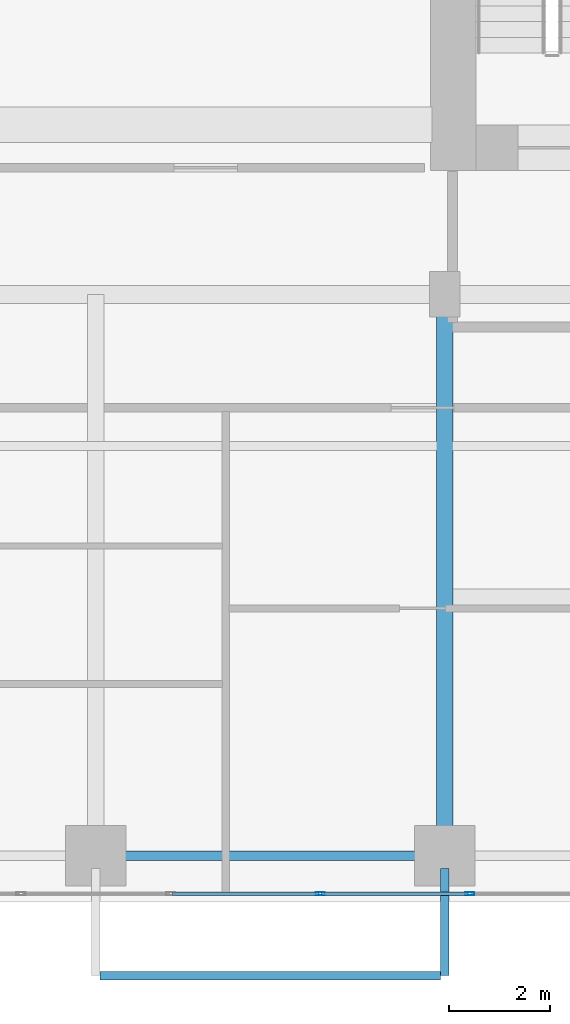
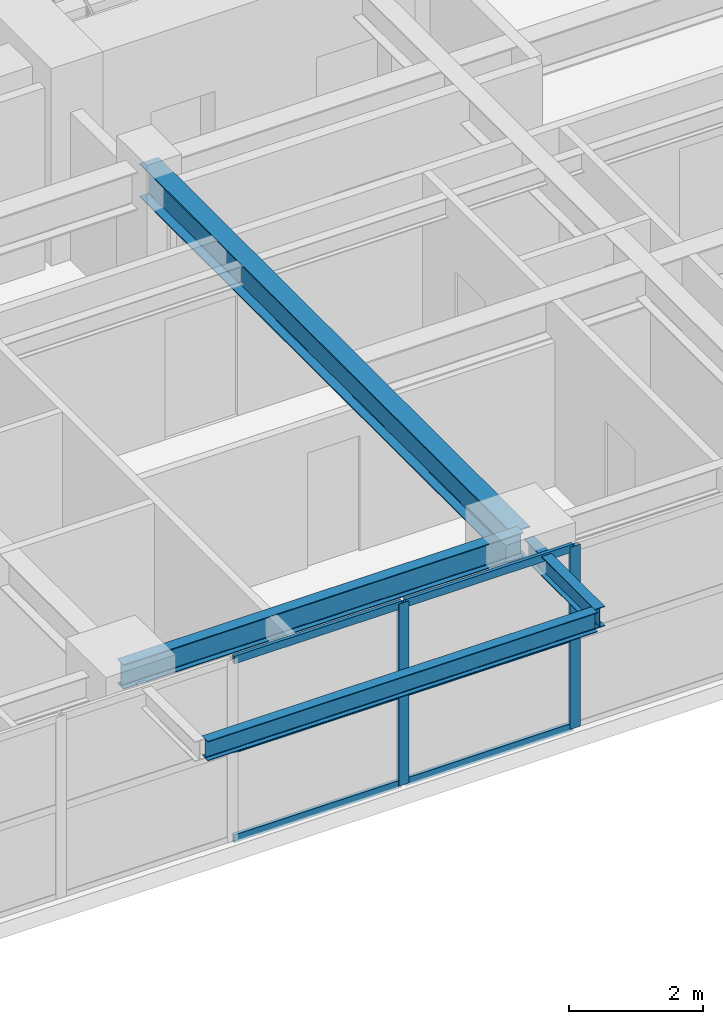
# One storey, part 3 of 24: 8 members, 4 beams, 1 element without a shape of its own.
"""IFC4 building model written with IfcOpenShell, lengths in metres."""

from ifc_helpers import new_model, si_unit, direction, frame, origin, origin_2d, place, context, subcontext, project, spatial, hollow_rectangle, i_section, extrude, source, transform, mapped, material, layer, layer_set, material_profile, profile_set, type_object, element, aggregate, save


model = new_model("IFC4")

# Units and contexts
model_context = context("Model", 3, precision=1e-05, world=origin(), true_north=direction((0.0, 1.0)))
body_context = subcontext(model_context, "Body", "Model", "MODEL_VIEW")
ifc_project = project(units=[si_unit("LENGTHUNIT", "METRE"), si_unit("AREAUNIT", "SQUARE_METRE"), si_unit("VOLUMEUNIT", "CUBIC_METRE"), si_unit("PLANEANGLEUNIT", "RADIAN"), si_unit("MASSUNIT", "GRAM", prefix="KILO")], contexts=[model_context])

# Site, building, storey
site_placement = place(None, origin())
site = spatial("IfcSite", under=ifc_project, at=site_placement, CompositionType="ELEMENT")
building_placement = place(site_placement, origin())
building = spatial("IfcBuilding", under=site, at=building_placement, Name="Khoralis Quay Care Tower", CompositionType="ELEMENT")
storey_placement = place(building_placement, frame((0.0, 0.0, 54.89990234375)))
storey = spatial("IfcBuildingStorey", under=building, at=storey_placement, Name="L14", CompositionType="ELEMENT", Elevation=54.89990234375)

# Beams
ifc_material_1 = material(Name="Steel S355", Category="steel")
ifc_material_profile_1 = material_profile(ifc_material_1, i_section(OverallWidth=0.18994140625, OverallDepth=0.449951171875, WebThickness=0.009521484375, FlangeThickness=0.0146484375, FilletRadius=0.02099609375, at=origin_2d()), Name="Steel S355")
ifc_profile_set_1 = profile_set([ifc_material_profile_1], Name="Steel S355")
beam_type_1 = type_object("IfcBeamType", Name="BM-IPE450", PredefinedType="SPANDREL", material=ifc_profile_set_1)
shared_shape_1 = source(origin(), body_context, "Body", "SweptSolid", [
    extrude(i_section(OverallWidth=0.18994140625, OverallDepth=0.449951171875, WebThickness=0.009521484375, FlangeThickness=0.0146484375, FilletRadius=0.02099609375, at=origin_2d()), origin(), (0.0, 0.0, 1.0), 6.89990234375),
])
beam_1_placement = place(storey_placement, frame((24.0, 0.89990234375, 3.09521484375), z_axis=(1.0, 0.0, 0.0), x_axis=(0.0, 1.0, 0.0)))
element("IfcBeam", 1, at=beam_1_placement, inside=storey, type_object=beam_type_1, Name="BM-TSP-L14-04", PredefinedType="SPANDREL", context=body_context, shape_type="MappedRepresentation", body=[
    mapped(shared_shape_1, transform((0.0, 0.0, 0.0), scale=1.0)),
])
ifc_material_profile_2 = material_profile(ifc_material_1, i_section(OverallWidth=0.324951171875, OverallDepth=0.615966796875, WebThickness=0.013916015625, FlangeThickness=0.021484375, FilletRadius=0.01806640625, at=origin_2d()), Name="Steel S355")
ifc_profile_set_2 = profile_set([ifc_material_profile_2], Name="Steel S355")
beam_type_2 = type_object("IfcBeamType", Name="BM-W610X174", PredefinedType="BEAM", material=ifc_profile_set_2)
shared_shape_2 = source(origin(), body_context, "Body", "SweptSolid", [
    extrude(i_section(OverallWidth=0.324951171875, OverallDepth=0.615966796875, WebThickness=0.013916015625, FlangeThickness=0.021484375, FilletRadius=0.01806640625, at=origin_2d()), origin(), (0.0, 0.0, 1.0), 11.10009765625),
])
beam_2_placement = place(storey_placement, frame((30.89990234375, 0.89990234375, 3.01220703125), z_axis=(0.0, 1.0, 0.0), x_axis=(-1.0, 0.0, 0.0)))
element("IfcBeam", 2, at=beam_2_placement, inside=storey, type_object=beam_type_2, Name="BM-TGYS-L14-309", PredefinedType="BEAM", context=body_context, shape_type="MappedRepresentation", body=[
    mapped(shared_shape_2, transform((0.0, 0.0, 0.0), scale=1.0)),
])

# Curtain wall, members
ifc_material_2 = material(Name="Pale anodised aluminium", Category="aluminium")
ifc_layer = layer(ifc_material_2, 0.179931640625)
ifc_layer_set = layer_set([ifc_layer], Name="Pale anodised aluminium")
curtain_wall_type = type_object("IfcCurtainWallType", Name="CW-SYS-Z1", PredefinedType="NOTDEFINED", material=ifc_layer_set)
curtain_wall_placement = place(storey_placement, origin())
curtain_wall = element("IfcCurtainWall", 3, at=curtain_wall_placement, inside=storey, type_object=curtain_wall_type, Name="L14 Unitised Curtain Wall CW-L14-P1-E0", PredefinedType="NOTDEFINED")
ifc_material_profile_3 = material_profile(ifc_material_2, hollow_rectangle(XDim=0.06494140625, YDim=0.179931640625, WallThickness=0.00390625, at=origin_2d()), Name="Pale anodised aluminium")
ifc_profile_set_3 = profile_set([ifc_material_profile_3], Name="Pale anodised aluminium")
member_type_1 = type_object("IfcMemberType", Name="CW-MUL-180", PredefinedType="MULLION", material=ifc_profile_set_3)
shared_shape_3 = source(origin(), body_context, "Body", "SweptSolid", [
    extrude(hollow_rectangle(XDim=0.06494140625, YDim=0.179931640625, WallThickness=0.00390625, at=origin_2d()), origin(), (0.0, 0.0, 1.0), 3.320068359375),
])
member_1_placement = place(storey_placement, frame((28.436767578125, 0.14990234375, 0.0), z_axis=(0.0, 0.0, 1.0), x_axis=(0.0, 1.0, 0.0)))
member_1 = element("IfcMember", 4, at=member_1_placement, type_object=member_type_1, Name="CW1 mullion 5", PredefinedType="MULLION", context=body_context, shape_type="MappedRepresentation", body=[
    mapped(shared_shape_3, transform((0.0, 0.0, 0.0), scale=1.0)),
])
member_2_placement = place(storey_placement, frame((31.393310546875, 0.14990234375, 0.0), z_axis=(0.0, 0.0, 1.0), x_axis=(0.0, 1.0, 0.0)))
member_2 = element("IfcMember", 5, at=member_2_placement, type_object=member_type_1, Name="CW1 mullion 6", PredefinedType="MULLION", context=body_context, shape_type="MappedRepresentation", body=[
    mapped(shared_shape_3, transform((0.0, 0.0, 0.0), scale=1.0)),
])

# Beams
ifc_material_profile_4 = material_profile(ifc_material_1, i_section(OverallWidth=0.169921875, OverallDepth=0.360107421875, WebThickness=0.008056640625, FlangeThickness=0.0126953125, FilletRadius=0.01806640625, at=origin_2d()), Name="Steel S355")
ifc_profile_set_4 = profile_set([ifc_material_profile_4], Name="Steel S355")
beam_type_3 = type_object("IfcBeamType", Name="BM-IPE360", PredefinedType="SPANDREL", material=ifc_profile_set_4)
shared_shape_4 = source(origin(), body_context, "Body", "SweptSolid", [
    extrude(i_section(OverallWidth=0.169921875, OverallDepth=0.360107421875, WebThickness=0.008056640625, FlangeThickness=0.0126953125, FilletRadius=0.01806640625, at=origin_2d()), origin(), (0.0, 0.0, 1.0), 2.119873046875),
])
beam_3_placement = place(storey_placement, frame((30.89990234375, 0.64990234375, 3.14404296875), z_axis=(0.0, -1.0, 0.0), x_axis=(1.0, 0.0, 0.0)))
element("IfcBeam", 6, at=beam_3_placement, inside=storey, type_object=beam_type_3, Name="L15 Balcony Cantilever Outrigger Beam 2", PredefinedType="SPANDREL", context=body_context, shape_type="MappedRepresentation", body=[
    mapped(shared_shape_4, transform((0.0, 0.0, 0.0), scale=1.0)),
])
shared_shape_5 = source(origin(), body_context, "Body", "SweptSolid", [
    extrude(i_section(OverallWidth=0.169921875, OverallDepth=0.360107421875, WebThickness=0.008056640625, FlangeThickness=0.0126953125, FilletRadius=0.01806640625, at=origin_2d()), origin(), (0.0, 0.0, 1.0), 6.72412109375),
])
beam_4_placement = place(storey_placement, frame((24.087890625, -1.469970703125, 3.14404296875), z_axis=(1.0, 0.0, 0.0), x_axis=(0.0, 1.0, 0.0)))
element("IfcBeam", 7, at=beam_4_placement, inside=storey, type_object=beam_type_3, Name="L15 Balcony Edge Spandrel Beam P1E0", PredefinedType="SPANDREL", context=body_context, shape_type="MappedRepresentation", body=[
    mapped(shared_shape_5, transform((0.0, 0.0, 0.0), scale=1.0)),
])

# Member
ifc_material_profile_5 = material_profile(ifc_material_2, hollow_rectangle(XDim=0.06005859375, YDim=0.139892578125, WallThickness=0.00390625, at=origin_2d()), Name="Pale anodised aluminium")
ifc_profile_set_5 = profile_set([ifc_material_profile_5], Name="Pale anodised aluminium")
member_type_2 = type_object("IfcMemberType", Name="CW-TRN-140", PredefinedType="USERDEFINED", material=ifc_profile_set_5)
shared_shape_6 = source(origin(), body_context, "Body", "SweptSolid", [
    extrude(hollow_rectangle(XDim=0.06005859375, YDim=0.139892578125, WallThickness=0.00390625, at=origin_2d()), origin(), (0.0, 0.0, 1.0), 2.896728515625),
])
member_3_placement = place(storey_placement, frame((25.510009765625, 0.14990234375, 0.030029296875), z_axis=(1.0, 0.0, 0.0), x_axis=(0.0, 1.0, 0.0)))
member_3 = element("IfcMember", 8, at=member_3_placement, type_object=member_type_2, Name="CW1 transom 4.1", ObjectType="TRANSOM", PredefinedType="USERDEFINED", context=body_context, shape_type="MappedRepresentation", body=[
    mapped(shared_shape_6, transform((0.0, 0.0, 0.0), scale=1.0)),
])

member_4_placement = place(storey_placement, frame((25.510009765625, 0.14990234375, 1.66015625), z_axis=(1.0, 0.0, 0.0), x_axis=(0.0, 1.0, 0.0)))
member_4 = element("IfcMember", 9, at=member_4_placement, type_object=member_type_2, Name="CW1 transom 4.2", ObjectType="TRANSOM", PredefinedType="USERDEFINED", context=body_context, shape_type="MappedRepresentation", body=[
    mapped(shared_shape_6, transform((0.0, 0.0, 0.0), scale=1.0)),
])

member_5_placement = place(storey_placement, frame((25.510009765625, 0.14990234375, 3.2900390625), z_axis=(1.0, 0.0, 0.0), x_axis=(0.0, 1.0, 0.0)))
member_5 = element("IfcMember", 10, at=member_5_placement, type_object=member_type_2, Name="CW1 transom 4.3", ObjectType="TRANSOM", PredefinedType="USERDEFINED", context=body_context, shape_type="MappedRepresentation", body=[
    mapped(shared_shape_6, transform((0.0, 0.0, 0.0), scale=1.0)),
])

member_6_placement = place(storey_placement, frame((28.466552734375, 0.14990234375, 0.030029296875), z_axis=(1.0, 0.0, 0.0), x_axis=(0.0, 1.0, 0.0)))
member_6 = element("IfcMember", 11, at=member_6_placement, type_object=member_type_2, Name="CW1 transom 5.1", ObjectType="TRANSOM", PredefinedType="USERDEFINED", context=body_context, shape_type="MappedRepresentation", body=[
    mapped(shared_shape_6, transform((0.0, 0.0, 0.0), scale=1.0)),
])

member_7_placement = place(storey_placement, frame((28.466552734375, 0.14990234375, 1.66015625), z_axis=(1.0, 0.0, 0.0), x_axis=(0.0, 1.0, 0.0)))
member_7 = element("IfcMember", 12, at=member_7_placement, type_object=member_type_2, Name="CW1 transom 5.2", ObjectType="TRANSOM", PredefinedType="USERDEFINED", context=body_context, shape_type="MappedRepresentation", body=[
    mapped(shared_shape_6, transform((0.0, 0.0, 0.0), scale=1.0)),
])

member_8_placement = place(storey_placement, frame((28.466552734375, 0.14990234375, 3.2900390625), z_axis=(1.0, 0.0, 0.0), x_axis=(0.0, 1.0, 0.0)))
member_8 = element("IfcMember", 13, at=member_8_placement, type_object=member_type_2, Name="CW1 transom 5.3", ObjectType="TRANSOM", PredefinedType="USERDEFINED", context=body_context, shape_type="MappedRepresentation", body=[
    mapped(shared_shape_6, transform((0.0, 0.0, 0.0), scale=1.0)),
])

aggregate(curtain_wall, [member_1, member_2, member_3, member_4, member_5, member_6, member_7, member_8])

save(model, "model.ifc")
